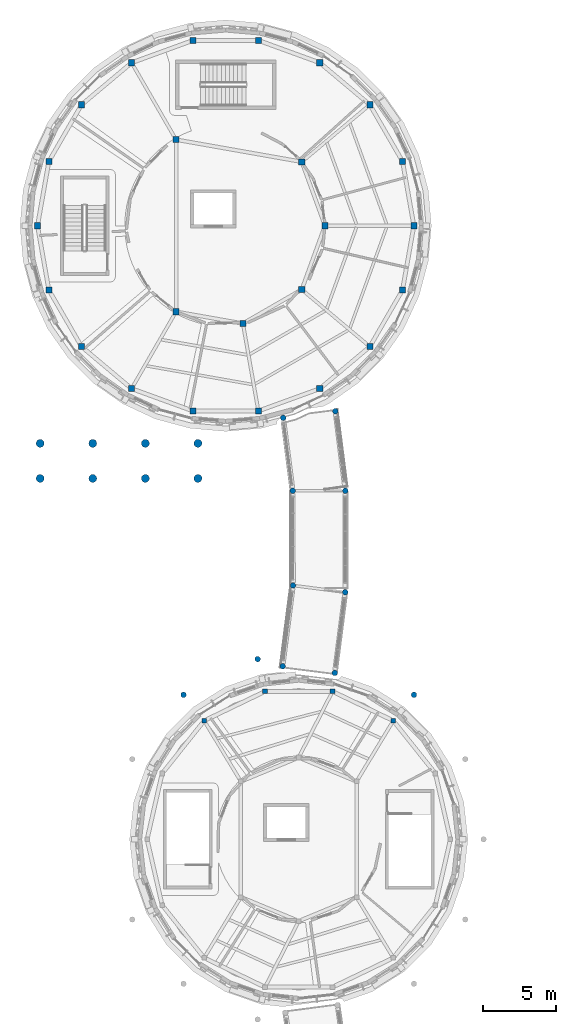
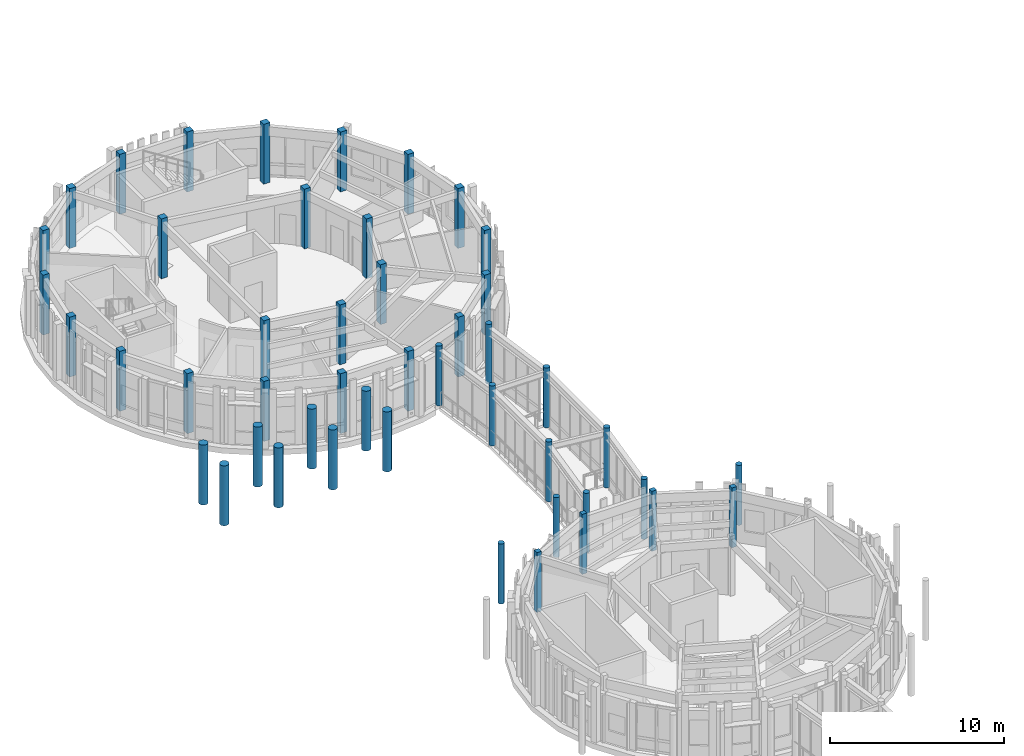
# One storey, part 3 of 80: 47 columns.
"""IFC4 building model written with IfcOpenShell, lengths in metres."""

from ifc_helpers import new_model, si_unit, direction, frame, origin, origin_2d, place, context, subcontext, project, spatial, rectangle, circle, extrude, material, material_profile, profile_set, type_object, element, save


model = new_model("IFC4")

# Units and contexts
model_context = context("Model", 3, precision=1e-05, world=origin(), true_north=direction((0.0, 1.0)))
body_context = subcontext(model_context, "Body", "Model", "MODEL_VIEW")
ifc_project = project(units=[si_unit("LENGTHUNIT", "METRE"), si_unit("AREAUNIT", "SQUARE_METRE"), si_unit("VOLUMEUNIT", "CUBIC_METRE"), si_unit("PLANEANGLEUNIT", "RADIAN"), si_unit("MASSUNIT", "GRAM", prefix="KILO")], contexts=[model_context])

# Site, building, storey
site_placement = place(None, origin())
site = spatial("IfcSite", under=ifc_project, at=site_placement, CompositionType="ELEMENT")
building_placement = place(site_placement, origin())
building = spatial("IfcBuilding", under=site, at=building_placement, Name="Aldenvaro Health Centre", CompositionType="ELEMENT")
storey_placement = place(building_placement, frame((0.0, 0.0, 4.550048828125)))
storey = spatial("IfcBuildingStorey", under=building, at=storey_placement, Name="L01", CompositionType="ELEMENT", Elevation=4.550048828125)

# Columns
ifc_material_1 = material(Name="Glulam GL28h", Category="wood")
ifc_material_profile_1 = material_profile(ifc_material_1, rectangle(XDim=0.31494140625, YDim=0.31494140625, at=origin_2d()), Name="GL 315x315", Category="wood")
ifc_profile_set_1 = profile_set([ifc_material_profile_1], Name="Glulam GL28h")
column_type_1 = type_object("IfcColumnType", Name="COL-GL-315E", PredefinedType="COLUMN", material=ifc_profile_set_1)
for number, where, z_axis, x_axis, name in (
    (1, (29.971923828125, 65.614990234375, 0.0), (0.0, 0.0, 1.0), (1.0, 0.0, 0.0), "D3 L01 column OUT-03"),
    (2, (25.81005859375, 67.6201171875, 0.0), (0.0, 0.0, 1.0), (1.0, 0.0, 0.0), "D3 L01 column OUT-04"),
    (3, (21.18994140625, 67.6201171875, 0.0), (0.0, 0.0, 1.0), (1.0, 0.0, 0.0), "D3 L01 column OUT-05"),
    (4, (17.028076171875, 65.614990234375, 0.0), (0.0, 0.0, 1.0), (1.0, 0.0, 0.0), "D3 L01 column OUT-06"),
):
    element("IfcColumn", number, at=place(storey_placement, frame(where, z_axis=z_axis, x_axis=x_axis)), inside=storey, type_object=column_type_1, Name=name, PredefinedType="COLUMN", context=body_context, shape_type="SweptSolid", body=[
        extrude(rectangle(XDim=0.31494140625, YDim=0.31494140625, at=origin_2d()), origin(), (0.0, 0.0, 1.0), 4.199951171875),
    ])
ifc_material_profile_2 = material_profile(ifc_material_1, rectangle(XDim=0.419921875, YDim=0.419921875, at=origin_2d()), Name="GL 420x420", Category="wood")
ifc_profile_set_2 = profile_set([ifc_material_profile_2], Name="Glulam GL28h")
column_type_2 = type_object("IfcColumnType", Name="COL-GL-420", PredefinedType="COLUMN", material=ifc_profile_set_2)
for number, where, z_axis, x_axis, name in (
    (5, (25.300048828125, 99.5, 0.0), (0.0, 0.0, 1.0), (1.0, 0.0, 0.0), "D4 L01 column IN-01"),
    (6, (23.708984375, 103.87109375, 0.0), (0.0, 0.0, 1.0), (1.0, 0.0, 0.0), "D4 L01 column IN-02"),
    (7, (15.10009765625, 105.388916015625, 0.0), (0.0, 0.0, 1.0), (1.0, 0.0, 0.0), "D4 L01 column IN-03"),
    (8, (15.10009765625, 93.611083984375, 0.0), (0.0, 0.0, 1.0), (1.0, 0.0, 0.0), "D4 L01 column IN-04"),
    (9, (19.680908203125, 92.802978515625, 0.0), (0.0, 0.0, 1.0), (1.0, 0.0, 0.0), "D4 L01 column IN-05"),
    (10, (23.708984375, 95.12890625, 0.0), (0.0, 0.0, 1.0), (1.0, 0.0, 0.0), "D4 L01 column IN-06"),
):
    element("IfcColumn", number, at=place(storey_placement, frame(where, z_axis=z_axis, x_axis=x_axis)), inside=storey, type_object=column_type_2, Name=name, PredefinedType="COLUMN", context=body_context, shape_type="SweptSolid", body=[
        extrude(rectangle(XDim=0.419921875, YDim=0.419921875, at=origin_2d()), origin(), (0.0, 0.0, 1.0), 4.199951171875),
    ])
ifc_material_profile_3 = material_profile(ifc_material_1, rectangle(XDim=0.419921875, YDim=0.419921875, at=origin_2d()), Name="GL 420x420", Category="wood")
ifc_profile_set_3 = profile_set([ifc_material_profile_3], Name="Glulam GL28h")
column_type_3 = type_object("IfcColumnType", Name="COL-GL-420E", PredefinedType="COLUMN", material=ifc_profile_set_3)
for number, where, z_axis, x_axis, name in (
    (11, (31.3798828125, 99.5, 0.0), (0.0, 0.0, 1.0), (1.0, 0.0, 0.0), "D4 L01 column OUT-01"),
    (12, (30.60302734375, 103.905029296875, 0.0), (0.0, 0.0, 1.0), (1.0, 0.0, 0.0), "D4 L01 column OUT-02"),
    (13, (28.366943359375, 107.779052734375, 0.0), (0.0, 0.0, 1.0), (1.0, 0.0, 0.0), "D4 L01 column OUT-03"),
    (14, (24.93994140625, 110.654052734375, 0.0), (0.0, 0.0, 1.0), (1.0, 0.0, 0.0), "D4 L01 column OUT-04"),
    (15, (20.737060546875, 112.18408203125, 0.0), (0.0, 0.0, 1.0), (1.0, 0.0, 0.0), "D4 L01 column OUT-05"),
    (16, (16.262939453125, 112.18408203125, 0.0), (0.0, 0.0, 1.0), (1.0, 0.0, 0.0), "D4 L01 column OUT-06"),
    (17, (12.06005859375, 110.654052734375, 0.0), (0.0, 0.0, 1.0), (1.0, 0.0, 0.0), "D4 L01 column OUT-07"),
    (18, (8.633056640625, 107.779052734375, 0.0), (0.0, 0.0, 1.0), (1.0, 0.0, 0.0), "D4 L01 column OUT-08"),
    (19, (6.39697265625, 103.905029296875, 0.0), (0.0, 0.0, 1.0), (1.0, 0.0, 0.0), "D4 L01 column OUT-09"),
    (20, (5.6201171875, 99.5, 0.0), (0.0, 0.0, 1.0), (1.0, 0.0, 0.0), "D4 L01 column OUT-10"),
    (21, (6.39697265625, 95.094970703125, 0.0), (0.0, 0.0, 1.0), (1.0, 0.0, 0.0), "D4 L01 column OUT-11"),
    (22, (8.633056640625, 91.220947265625, 0.0), (0.0, 0.0, 1.0), (1.0, 0.0, 0.0), "D4 L01 column OUT-12"),
    (23, (12.06005859375, 88.345947265625, 0.0), (0.0, 0.0, 1.0), (1.0, 0.0, 0.0), "D4 L01 column OUT-13"),
    (24, (16.262939453125, 86.81591796875, 0.0), (0.0, 0.0, 1.0), (1.0, 0.0, 0.0), "D4 L01 column OUT-14"),
    (25, (20.737060546875, 86.81591796875, 0.0), (0.0, 0.0, 1.0), (1.0, 0.0, 0.0), "D4 L01 column OUT-15"),
    (26, (24.93994140625, 88.345947265625, 0.0), (0.0, 0.0, 1.0), (1.0, 0.0, 0.0), "D4 L01 column OUT-16"),
    (27, (28.366943359375, 91.220947265625, 0.0), (0.0, 0.0, 1.0), (1.0, 0.0, 0.0), "D4 L01 column OUT-17"),
    (28, (30.60302734375, 95.094970703125, 0.0), (0.0, 0.0, 1.0), (1.0, 0.0, 0.0), "D4 L01 column OUT-18"),
):
    element("IfcColumn", number, at=place(storey_placement, frame(where, z_axis=z_axis, x_axis=x_axis)), inside=storey, type_object=column_type_3, Name=name, PredefinedType="COLUMN", context=body_context, shape_type="SweptSolid", body=[
        extrude(rectangle(XDim=0.419921875, YDim=0.419921875, at=origin_2d()), origin(), (0.0, 0.0, 1.0), 4.199951171875),
    ])
ifc_material_profile_4 = material_profile(ifc_material_1, circle(Radius=0.18994140625, at=origin_2d()), Name="GL D380", Category="wood")
ifc_profile_set_4 = profile_set([ifc_material_profile_4], Name="Glulam GL28h")
column_type_4 = type_object("IfcColumnType", Name="COL-GL-D380", PredefinedType="PILASTER", material=ifc_profile_set_4)
for number, where, z_axis, x_axis, name in (
    (29, (22.39599609375, 69.346923828125, 0.0), (0.0, 0.0, 1.0), (1.0, 0.0, 0.0), "West North Curved Garden Walkway Arc 1 L01 column 1.1"),
    (30, (25.966064453125, 68.886962890625, 0.0), (0.0, 0.0, 1.0), (1.0, 0.0, 0.0), "West North Curved Garden Walkway Arc 1 L01 column 1.2"),
    (31, (23.10791015625, 74.873046875, 0.0), (0.0, 0.0, 1.0), (1.0, 0.0, 0.0), "West North Curved Garden Walkway Arc 1 L01 column 2.1"),
    (32, (26.677978515625, 74.4130859375, 0.0), (0.0, 0.0, 1.0), (1.0, 0.0, 0.0), "West North Curved Garden Walkway Arc 1 L01 column 2.2"),
    (33, (23.093017578125, 81.35693359375, 0.0), (0.0, 0.0, 1.0), (1.0, 0.0, 0.0), "West North Curved Garden Walkway Arc 2 L01 column 2.1"),
    (34, (26.693115234375, 81.35693359375, 0.0), (0.0, 0.0, 1.0), (1.0, 0.0, 0.0), "West North Curved Garden Walkway Arc 2 L01 column 2.2"),
    (35, (22.43603515625, 86.342041015625, 0.0), (0.0, 0.0, 1.0), (1.0, 0.0, 0.0), "West North Curved Garden Walkway Arc 3 L01 column 2.1"),
    (36, (26.006103515625, 86.802001953125, 0.0), (0.0, 0.0, 1.0), (1.0, 0.0, 0.0), "West North Curved Garden Walkway Arc 3 L01 column 2.2"),
    (37, (31.386962890625, 67.389892578125, 0.0), (0.0, 0.0, 1.0), (1.0, 0.0, 0.0), "Garden Pavilion Peristyle Upper Column 03"),
    (38, (20.68505859375, 69.8330078125, 0.0), (0.0, 0.0, 1.0), (1.0, 0.0, 0.0), "Garden Pavilion Peristyle Upper Column 05"),
    (39, (15.613037109375, 67.389892578125, 0.0), (0.0, 0.0, 1.0), (1.0, 0.0, 0.0), "Garden Pavilion Peristyle Upper Column 06"),
):
    element("IfcColumn", number, at=place(storey_placement, frame(where, z_axis=z_axis, x_axis=x_axis)), inside=storey, type_object=column_type_4, Name=name, PredefinedType="PILASTER", context=body_context, shape_type="SweptSolid", body=[
        extrude(circle(Radius=0.18994140625, at=origin_2d()), origin(), (0.0, 0.0, 1.0), 4.199951171875),
    ])
ifc_material_2 = material(Name="Concrete f'c 40 MPa", Category="concrete")
ifc_material_profile_5 = material_profile(ifc_material_2, circle(Radius=0.27490234375, at=origin_2d()), Name="RC D550", Category="concrete")
ifc_profile_set_5 = profile_set([ifc_material_profile_5], Name="Concrete f'c 40 MPa")
column_type_5 = type_object("IfcColumnType", Name="COL-RC-D550", PredefinedType="PILASTER", material=ifc_profile_set_5)
for number, where, z_axis, x_axis, name in (
    (40, (5.800048828125, 82.199951171875, 0.0), (0.0, 0.0, 1.0), (1.0, 0.0, 0.0), "Bastion Tetrastyle Portico N4 Shaft Column 1.1"),
    (41, (5.800048828125, 84.60009765625, 0.0), (0.0, 0.0, 1.0), (1.0, 0.0, 0.0), "Bastion Tetrastyle Portico N4 Shaft Column 1.2"),
    (42, (9.39990234375, 82.199951171875, 0.0), (0.0, 0.0, 1.0), (1.0, 0.0, 0.0), "Bastion Tetrastyle Portico N4 Shaft Column 2.1"),
    (43, (9.39990234375, 84.60009765625, 0.0), (0.0, 0.0, 1.0), (1.0, 0.0, 0.0), "Bastion Tetrastyle Portico N4 Shaft Column 2.2"),
    (44, (13.0, 82.199951171875, 0.0), (0.0, 0.0, 1.0), (1.0, 0.0, 0.0), "Bastion Tetrastyle Portico N4 Shaft Column 3.1"),
    (45, (13.0, 84.60009765625, 0.0), (0.0, 0.0, 1.0), (1.0, 0.0, 0.0), "Bastion Tetrastyle Portico N4 Shaft Column 3.2"),
    (46, (16.60009765625, 82.199951171875, 0.0), (0.0, 0.0, 1.0), (1.0, 0.0, 0.0), "Bastion Tetrastyle Portico N4 Shaft Column 4.1"),
    (47, (16.60009765625, 84.60009765625, 0.0), (0.0, 0.0, 1.0), (1.0, 0.0, 0.0), "Bastion Tetrastyle Portico N4 Shaft Column 4.2"),
):
    element("IfcColumn", number, at=place(storey_placement, frame(where, z_axis=z_axis, x_axis=x_axis)), inside=storey, type_object=column_type_5, Name=name, PredefinedType="PILASTER", context=body_context, shape_type="SweptSolid", body=[
        extrude(circle(Radius=0.27490234375, at=origin_2d()), origin(), (0.0, 0.0, 1.0), 4.199951171875),
    ])

save(model, "model.ifc")
